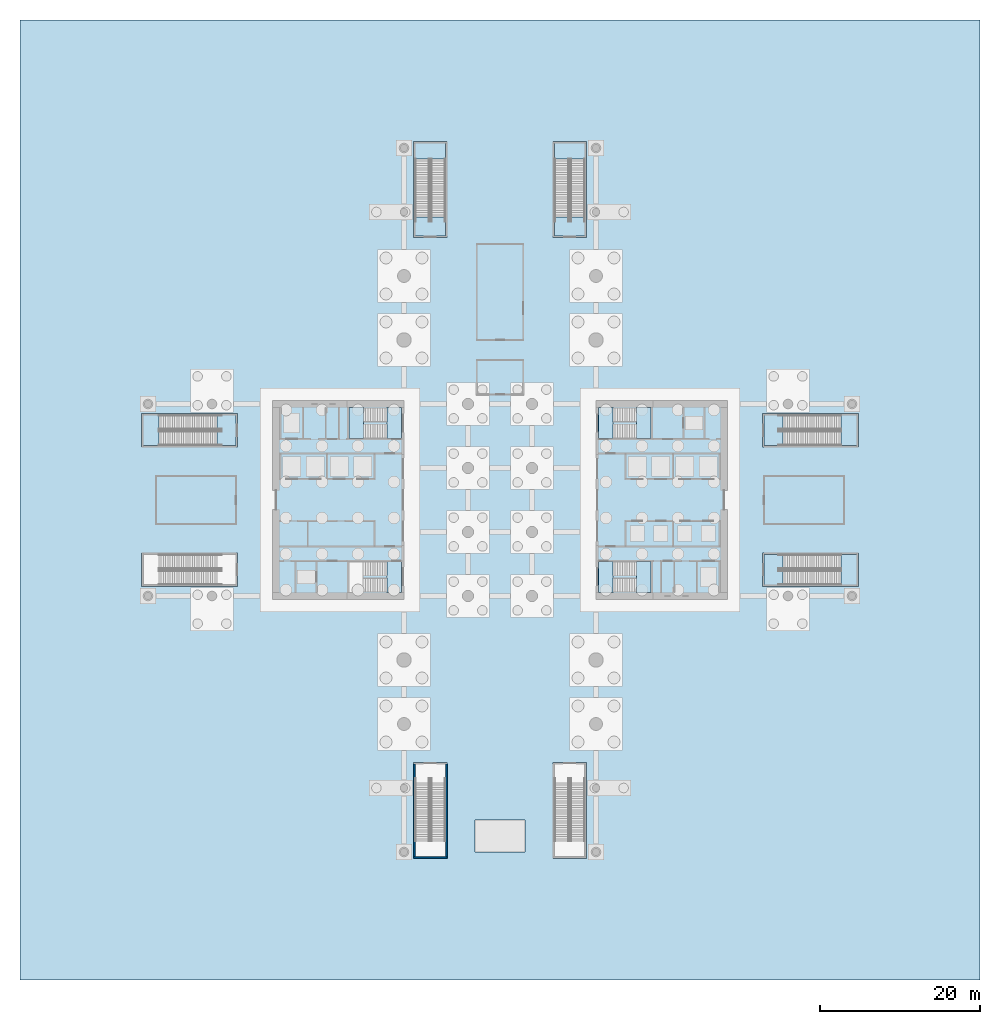
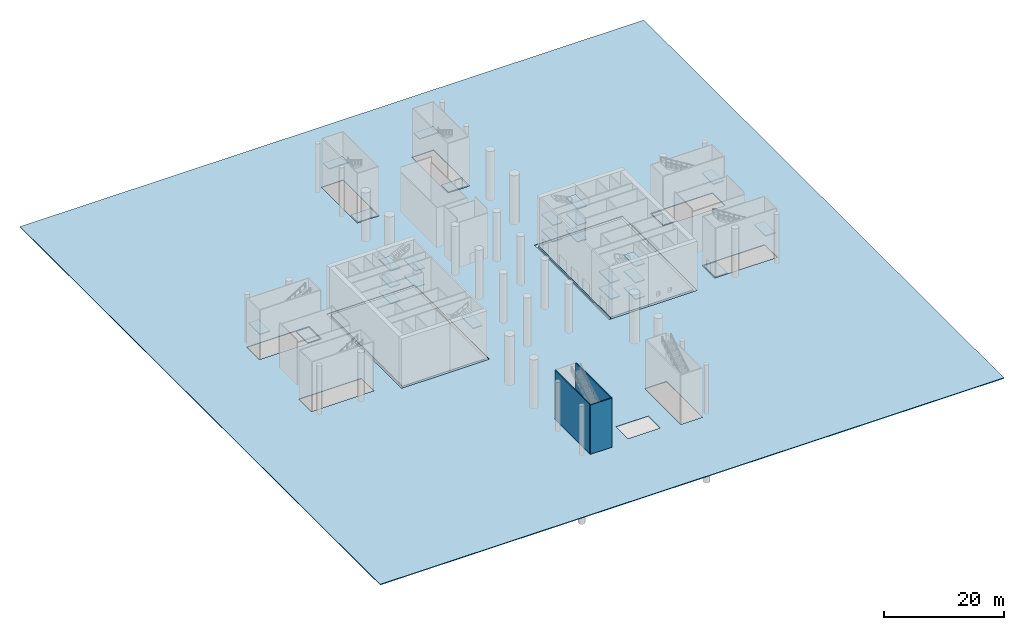
# One storey, part 3 of 14: 29 slabs, 3 walls, 9 elements without a shape of their own.
"""IFC4 building model written with IfcOpenShell, lengths in metres."""

from ifc_helpers import new_model, si_unit, direction, frame, frame_2d, origin, place, context, subcontext, project, spatial, polyline, rectangle, outline, extrude, material, layer, layer_set, type_object, element, aggregate, save


model = new_model("IFC4")

# Units and contexts
model_context = context("Model", 3, precision=1e-05, world=origin(), true_north=direction((0.0, 1.0)))
body_context = subcontext(model_context, "Body", "Model", "MODEL_VIEW")
ifc_project = project(units=[si_unit("LENGTHUNIT", "METRE"), si_unit("AREAUNIT", "SQUARE_METRE"), si_unit("VOLUMEUNIT", "CUBIC_METRE"), si_unit("PLANEANGLEUNIT", "RADIAN"), si_unit("MASSUNIT", "GRAM", prefix="KILO")], contexts=[model_context])

# Site, building, storey
site_placement = place(None, origin())
site = spatial("IfcSite", under=ifc_project, at=site_placement, CompositionType="ELEMENT")
building_placement = place(site_placement, origin())
building = spatial("IfcBuilding", under=site, at=building_placement, Name="Crosswind Convention Tower", CompositionType="ELEMENT")
storey_placement = place(building_placement, origin())
storey = spatial("IfcBuildingStorey", under=building, at=storey_placement, Name="L00", CompositionType="ELEMENT", Elevation=0.0)

# Slabs
ifc_material_1 = material(Name="Concrete C40/50", Category="concrete")
ifc_layer_1 = layer(ifc_material_1, 0.39990234375)
ifc_layer_set_1 = layer_set([ifc_layer_1], Name="Concrete C40/50")
slab_type_1 = type_object("IfcSlabType", Name="Concrete ground slab 400", PredefinedType="BASESLAB", material=ifc_layer_set_1)
slab_1_placement = place(storey_placement, frame((0.0, 0.0, -0.39990234375)))
element("IfcSlab", 1, at=slab_1_placement, inside=storey, type_object=slab_type_1, Name="Core floor slab E L00", PredefinedType="BASESLAB", context=body_context, shape_type="SweptSolid", body=[
    extrude(outline(polyline([(137.0, 88.0), (153.0, 88.0), (153.0, 112.0), (137.0, 112.0), (137.0, 88.0)])), origin(), (0.0, 0.0, 1.0), 0.39990234375),
])
slab_2_placement = place(storey_placement, frame((0.0, 0.0, -0.39990234375)))
element("IfcSlab", 2, at=slab_2_placement, inside=storey, type_object=slab_type_1, Name="Core floor slab W L00", PredefinedType="BASESLAB", context=body_context, shape_type="SweptSolid", body=[
    extrude(outline(polyline([(97.0, 88.0), (113.0, 88.0), (113.0, 112.0), (97.0, 112.0), (97.0, 88.0)])), origin(), (0.0, 0.0, 1.0), 0.39990234375),
])
ifc_material_2 = material(Name="Granite paving on bedding", Category="masonry")
ifc_layer_2 = layer(ifc_material_2, 0.14990234375)
ifc_layer_set_2 = layer_set([ifc_layer_2], Name="GROUND PAVING 150")
slab_type_2 = type_object("IfcSlabType", Name="GROUND PAVING 150", PredefinedType="USERDEFINED", material=ifc_layer_set_2)
slab_3_placement = place(storey_placement, frame((0.0, 0.0, -0.14990234375)))
element("IfcSlab", 3, at=slab_3_placement, inside=storey, type_object=slab_type_2, Name="Plaza paving 1", ObjectType="PAVING", PredefinedType="USERDEFINED", context=body_context, shape_type="SweptSolid", body=[
    extrude(outline(polyline([(65.0, 40.0), (65.0, 160.0), (185.0, 160.0), (185.0, 40.0), (65.0, 40.0)]), holes=[polyline([(128.10009765625, 60.0), (121.89990234375, 60.0), (121.89990234375, 56.0), (128.10009765625, 56.0), (128.10009765625, 60.0)]), polyline([(118.39990234375, 67.199951171875), (114.199951171875, 67.199951171875), (114.199951171875, 55.199951171875), (118.39990234375, 55.199951171875), (118.39990234375, 67.199951171875)]), polyline([(92.199951171875, 89.199951171875), (92.199951171875, 93.39990234375), (80.199951171875, 93.39990234375), (80.199951171875, 89.199951171875), (92.199951171875, 89.199951171875)]), polyline([(113.449951171875, 112.449951171875), (96.550048828125, 112.449951171875), (96.550048828125, 87.550048828125), (113.449951171875, 87.550048828125), (113.449951171875, 112.449951171875)]), polyline([(92.199951171875, 106.60009765625), (92.199951171875, 110.800048828125), (80.199951171875, 110.800048828125), (80.199951171875, 106.60009765625), (92.199951171875, 106.60009765625)]), polyline([(114.199951171875, 132.800048828125), (118.39990234375, 132.800048828125), (118.39990234375, 144.800048828125), (114.199951171875, 144.800048828125), (114.199951171875, 132.800048828125)]), polyline([(135.800048828125, 67.199951171875), (131.60009765625, 67.199951171875), (131.60009765625, 55.199951171875), (135.800048828125, 55.199951171875), (135.800048828125, 67.199951171875)]), polyline([(169.800048828125, 93.39990234375), (157.800048828125, 93.39990234375), (157.800048828125, 89.199951171875), (169.800048828125, 89.199951171875), (169.800048828125, 93.39990234375)]), polyline([(153.449951171875, 112.449951171875), (136.550048828125, 112.449951171875), (136.550048828125, 87.550048828125), (153.449951171875, 87.550048828125), (153.449951171875, 112.449951171875)]), polyline([(169.800048828125, 110.800048828125), (157.800048828125, 110.800048828125), (157.800048828125, 106.60009765625), (169.800048828125, 106.60009765625), (169.800048828125, 110.800048828125)]), polyline([(135.800048828125, 144.800048828125), (131.60009765625, 144.800048828125), (131.60009765625, 132.800048828125), (135.800048828125, 132.800048828125), (135.800048828125, 144.800048828125)])]), origin(), (0.0, 0.0, 1.0), 0.14990234375),
])

# Stair, slabs
stair_type_1 = type_object("IfcStairType", Name="PODIUM EXIT STAIR 10000 RISE", PredefinedType="HALF_TURN_STAIR", material=ifc_material_1)
stair_1_placement = place(storey_placement, origin())
stair_1 = element("IfcStair", 4, at=stair_1_placement, inside=storey, type_object=stair_type_1, Name="Exit stair E1 L00", ObjectType="ST10", PredefinedType="HALF_TURN_STAIR")
ifc_layer_3 = layer(ifc_material_1, 0.199951171875)
ifc_layer_set_3 = layer_set([ifc_layer_3], Name="Concrete C40/50")
slab_type_3 = type_object("IfcSlabType", Name="PODIUM STAIR LANDING 200 FOR 29 RISERS", PredefinedType="LANDING", material=ifc_layer_set_3)
slab_4_placement = place(storey_placement, frame((0.0, 0.0, 4.800048828125)))
slab_4 = element("IfcSlab", 5, at=slab_4_placement, type_object=slab_type_3, Name="ST10 landing 1", PredefinedType="LANDING", context=body_context, shape_type="SweptSolid", body=[
    extrude(outline(polyline([(167.639892578125, 89.39990234375), (169.60009765625, 89.39990234375), (169.60009765625, 93.199951171875), (167.639892578125, 93.199951171875), (167.639892578125, 89.39990234375)])), origin(), (0.0, 0.0, 1.0), 0.199951171875),
])
slab_5_placement = place(storey_placement, frame((0.0, 0.0, -0.199951171875)))
slab_5 = element("IfcSlab", 6, at=slab_5_placement, type_object=slab_type_3, Name="ST10 landing 2", PredefinedType="LANDING", context=body_context, shape_type="SweptSolid", body=[
    extrude(outline(polyline([(158.0, 89.39990234375), (160.39990234375, 89.39990234375), (160.39990234375, 93.199951171875), (158.0, 93.199951171875), (158.0, 89.39990234375)])), origin(), (0.0, 0.0, 1.0), 0.199951171875),
])
aggregate(stair_1, [slab_4, slab_5])

stair_2_placement = place(storey_placement, origin())
stair_2 = element("IfcStair", 7, at=stair_2_placement, inside=storey, type_object=stair_type_1, Name="Exit stair E2 L00", ObjectType="ST10", PredefinedType="HALF_TURN_STAIR")
slab_6_placement = place(storey_placement, frame((0.0, 0.0, 4.800048828125)))
slab_6 = element("IfcSlab", 8, at=slab_6_placement, type_object=slab_type_3, Name="ST10 landing 1", PredefinedType="LANDING", context=body_context, shape_type="SweptSolid", body=[
    extrude(outline(polyline([(167.639892578125, 106.800048828125), (169.60009765625, 106.800048828125), (169.60009765625, 110.60009765625), (167.639892578125, 110.60009765625), (167.639892578125, 106.800048828125)])), origin(), (0.0, 0.0, 1.0), 0.199951171875),
])
slab_7_placement = place(storey_placement, frame((0.0, 0.0, -0.199951171875)))
slab_7 = element("IfcSlab", 9, at=slab_7_placement, type_object=slab_type_3, Name="ST10 landing 2", PredefinedType="LANDING", context=body_context, shape_type="SweptSolid", body=[
    extrude(outline(polyline([(158.0, 106.800048828125), (160.39990234375, 106.800048828125), (160.39990234375, 110.60009765625), (158.0, 110.60009765625), (158.0, 106.800048828125)])), origin(), (0.0, 0.0, 1.0), 0.199951171875),
])
aggregate(stair_2, [slab_6, slab_7])

stair_3_placement = place(storey_placement, origin())
stair_3 = element("IfcStair", 10, at=stair_3_placement, inside=storey, type_object=stair_type_1, Name="Exit stair N1 L00", ObjectType="ST10", PredefinedType="HALF_TURN_STAIR")
slab_8_placement = place(storey_placement, frame((0.0, 0.0, 4.800048828125)))
slab_8 = element("IfcSlab", 11, at=slab_8_placement, type_object=slab_type_3, Name="ST10 landing 1", PredefinedType="LANDING", context=body_context, shape_type="SweptSolid", body=[
    extrude(outline(polyline([(118.199951171875, 142.639892578125), (118.199951171875, 144.60009765625), (114.39990234375, 144.60009765625), (114.39990234375, 142.639892578125), (118.199951171875, 142.639892578125)])), origin(), (0.0, 0.0, 1.0), 0.199951171875),
])
slab_9_placement = place(storey_placement, frame((0.0, 0.0, -0.199951171875)))
slab_9 = element("IfcSlab", 12, at=slab_9_placement, type_object=slab_type_3, Name="ST10 landing 2", PredefinedType="LANDING", context=body_context, shape_type="SweptSolid", body=[
    extrude(outline(polyline([(118.199951171875, 133.0), (118.199951171875, 135.39990234375), (114.39990234375, 135.39990234375), (114.39990234375, 133.0), (118.199951171875, 133.0)])), origin(), (0.0, 0.0, 1.0), 0.199951171875),
])
aggregate(stair_3, [slab_8, slab_9])

stair_4_placement = place(storey_placement, origin())
stair_4 = element("IfcStair", 13, at=stair_4_placement, inside=storey, type_object=stair_type_1, Name="Exit stair N2 L00", ObjectType="ST10", PredefinedType="HALF_TURN_STAIR")
slab_10_placement = place(storey_placement, frame((0.0, 0.0, 4.800048828125)))
slab_10 = element("IfcSlab", 14, at=slab_10_placement, type_object=slab_type_3, Name="ST10 landing 1", PredefinedType="LANDING", context=body_context, shape_type="SweptSolid", body=[
    extrude(outline(polyline([(135.60009765625, 142.639892578125), (135.60009765625, 144.60009765625), (131.800048828125, 144.60009765625), (131.800048828125, 142.639892578125), (135.60009765625, 142.639892578125)])), origin(), (0.0, 0.0, 1.0), 0.199951171875),
])
slab_11_placement = place(storey_placement, frame((0.0, 0.0, -0.199951171875)))
slab_11 = element("IfcSlab", 15, at=slab_11_placement, type_object=slab_type_3, Name="ST10 landing 2", PredefinedType="LANDING", context=body_context, shape_type="SweptSolid", body=[
    extrude(outline(polyline([(135.60009765625, 133.0), (135.60009765625, 135.39990234375), (131.800048828125, 135.39990234375), (131.800048828125, 133.0), (135.60009765625, 133.0)])), origin(), (0.0, 0.0, 1.0), 0.199951171875),
])
aggregate(stair_4, [slab_10, slab_11])

stair_5_placement = place(storey_placement, origin())
stair_5 = element("IfcStair", 16, at=stair_5_placement, inside=storey, type_object=stair_type_1, Name="Exit stair W2 L00", ObjectType="ST10", PredefinedType="HALF_TURN_STAIR")
slab_12_placement = place(storey_placement, frame((0.0, 0.0, 4.800048828125)))
slab_12 = element("IfcSlab", 17, at=slab_12_placement, type_object=slab_type_3, Name="ST10 landing 1", PredefinedType="LANDING", context=body_context, shape_type="SweptSolid", body=[
    extrude(outline(polyline([(82.360107421875, 110.60009765625), (80.39990234375, 110.60009765625), (80.39990234375, 106.800048828125), (82.360107421875, 106.800048828125), (82.360107421875, 110.60009765625)])), origin(), (0.0, 0.0, 1.0), 0.199951171875),
])
slab_13_placement = place(storey_placement, frame((0.0, 0.0, -0.199951171875)))
slab_13 = element("IfcSlab", 18, at=slab_13_placement, type_object=slab_type_3, Name="ST10 landing 2", PredefinedType="LANDING", context=body_context, shape_type="SweptSolid", body=[
    extrude(outline(polyline([(92.0, 110.60009765625), (89.60009765625, 110.60009765625), (89.60009765625, 106.800048828125), (92.0, 106.800048828125), (92.0, 110.60009765625)])), origin(), (0.0, 0.0, 1.0), 0.199951171875),
])
aggregate(stair_5, [slab_12, slab_13])

stair_type_2 = type_object("IfcStairType", Name="Exit stair 1800 wide, 6 flights of 11 risers", PredefinedType="HALF_TURN_STAIR", material=ifc_material_1)
stair_6_placement = place(storey_placement, origin())
stair_6 = element("IfcStair", 19, at=stair_6_placement, inside=storey, type_object=stair_type_2, Name="Exit stair ST1 L00", ObjectType="ST7", PredefinedType="HALF_TURN_STAIR")
ifc_layer_4 = layer(ifc_material_1, 0.199951171875)
ifc_layer_set_4 = layer_set([ifc_layer_4], Name="Concrete C40/50")
slab_type_4 = type_object("IfcSlabType", Name="Stair landing 200", PredefinedType="LANDING", material=ifc_layer_set_4)
slab_14_placement = place(storey_placement, frame((0.0, 0.0, 1.466552734375)))
slab_14 = element("IfcSlab", 20, at=slab_14_placement, type_object=slab_type_4, Name="ST1 landing 1", PredefinedType="LANDING", context=body_context, shape_type="SweptSolid", body=[
    extrude(outline(polyline([(143.89990234375, 107.699951171875), (143.89990234375, 111.550048828125), (142.050048828125, 111.550048828125), (142.050048828125, 107.699951171875), (143.89990234375, 107.699951171875)])), origin(), (0.0, 0.0, 1.0), 0.2001953125),
])
slab_15_placement = place(storey_placement, frame((0.0, 0.0, 3.13330078125)))
slab_15 = element("IfcSlab", 21, at=slab_15_placement, type_object=slab_type_4, Name="ST1 landing 2", PredefinedType="LANDING", context=body_context, shape_type="SweptSolid", body=[
    extrude(outline(polyline([(139.14990234375, 107.699951171875), (139.14990234375, 111.550048828125), (137.300048828125, 111.550048828125), (137.300048828125, 107.699951171875), (139.14990234375, 107.699951171875)])), origin(), (0.0, 0.0, 1.0), 0.199951171875),
])
slab_16_placement = place(storey_placement, frame((0.0, 0.0, 4.800048828125)))
slab_16 = element("IfcSlab", 22, at=slab_16_placement, type_object=slab_type_4, Name="ST1 landing 3", PredefinedType="LANDING", context=body_context, shape_type="SweptSolid", body=[
    extrude(outline(polyline([(143.89990234375, 107.699951171875), (143.89990234375, 111.550048828125), (142.050048828125, 111.550048828125), (142.050048828125, 107.699951171875), (143.89990234375, 107.699951171875)])), origin(), (0.0, 0.0, 1.0), 0.199951171875),
])
slab_17_placement = place(storey_placement, frame((0.0, 0.0, 6.466552734375)))
slab_17 = element("IfcSlab", 23, at=slab_17_placement, type_object=slab_type_4, Name="ST1 landing 4", PredefinedType="LANDING", context=body_context, shape_type="SweptSolid", body=[
    extrude(outline(polyline([(139.14990234375, 107.699951171875), (139.14990234375, 111.550048828125), (137.300048828125, 111.550048828125), (137.300048828125, 107.699951171875), (139.14990234375, 107.699951171875)])), origin(), (0.0, 0.0, 1.0), 0.2001953125),
])
slab_18_placement = place(storey_placement, frame((0.0, 0.0, 8.13330078125)))
slab_18 = element("IfcSlab", 24, at=slab_18_placement, type_object=slab_type_4, Name="ST1 landing 5", PredefinedType="LANDING", context=body_context, shape_type="SweptSolid", body=[
    extrude(outline(polyline([(143.89990234375, 107.699951171875), (143.89990234375, 111.550048828125), (142.050048828125, 111.550048828125), (142.050048828125, 107.699951171875), (143.89990234375, 107.699951171875)])), origin(), (0.0, 0.0, 1.0), 0.199951171875),
])
aggregate(stair_6, [slab_14, slab_15, slab_16, slab_17, slab_18])

stair_7_placement = place(storey_placement, origin())
stair_7 = element("IfcStair", 25, at=stair_7_placement, inside=storey, type_object=stair_type_2, Name="Exit stair ST2 L00", ObjectType="ST7", PredefinedType="HALF_TURN_STAIR")
slab_19_placement = place(storey_placement, frame((0.0, 0.0, 1.466552734375)))
slab_19 = element("IfcSlab", 26, at=slab_19_placement, type_object=slab_type_4, Name="ST2 landing 1", PredefinedType="LANDING", context=body_context, shape_type="SweptSolid", body=[
    extrude(outline(polyline([(143.89990234375, 88.449951171875), (143.89990234375, 92.300048828125), (142.050048828125, 92.300048828125), (142.050048828125, 88.449951171875), (143.89990234375, 88.449951171875)])), origin(), (0.0, 0.0, 1.0), 0.2001953125),
])
slab_20_placement = place(storey_placement, frame((0.0, 0.0, 3.13330078125)))
slab_20 = element("IfcSlab", 27, at=slab_20_placement, type_object=slab_type_4, Name="ST2 landing 2", PredefinedType="LANDING", context=body_context, shape_type="SweptSolid", body=[
    extrude(outline(polyline([(139.14990234375, 88.449951171875), (139.14990234375, 92.300048828125), (137.300048828125, 92.300048828125), (137.300048828125, 88.449951171875), (139.14990234375, 88.449951171875)])), origin(), (0.0, 0.0, 1.0), 0.199951171875),
])
slab_21_placement = place(storey_placement, frame((0.0, 0.0, 4.800048828125)))
slab_21 = element("IfcSlab", 28, at=slab_21_placement, type_object=slab_type_4, Name="ST2 landing 3", PredefinedType="LANDING", context=body_context, shape_type="SweptSolid", body=[
    extrude(outline(polyline([(143.89990234375, 88.449951171875), (143.89990234375, 92.300048828125), (142.050048828125, 92.300048828125), (142.050048828125, 88.449951171875), (143.89990234375, 88.449951171875)])), origin(), (0.0, 0.0, 1.0), 0.199951171875),
])
slab_22_placement = place(storey_placement, frame((0.0, 0.0, 6.466552734375)))
slab_22 = element("IfcSlab", 29, at=slab_22_placement, type_object=slab_type_4, Name="ST2 landing 4", PredefinedType="LANDING", context=body_context, shape_type="SweptSolid", body=[
    extrude(outline(polyline([(139.14990234375, 88.449951171875), (139.14990234375, 92.300048828125), (137.300048828125, 92.300048828125), (137.300048828125, 88.449951171875), (139.14990234375, 88.449951171875)])), origin(), (0.0, 0.0, 1.0), 0.2001953125),
])
slab_23_placement = place(storey_placement, frame((0.0, 0.0, 8.13330078125)))
slab_23 = element("IfcSlab", 30, at=slab_23_placement, type_object=slab_type_4, Name="ST2 landing 5", PredefinedType="LANDING", context=body_context, shape_type="SweptSolid", body=[
    extrude(outline(polyline([(143.89990234375, 88.449951171875), (143.89990234375, 92.300048828125), (142.050048828125, 92.300048828125), (142.050048828125, 88.449951171875), (143.89990234375, 88.449951171875)])), origin(), (0.0, 0.0, 1.0), 0.199951171875),
])
aggregate(stair_7, [slab_19, slab_20, slab_21, slab_22, slab_23])

# Stair, slab
stair_8_placement = place(storey_placement, origin())
stair_8 = element("IfcStair", 31, at=stair_8_placement, inside=storey, type_object=stair_type_2, Name="Exit stair ST3 L00", ObjectType="ST7", PredefinedType="HALF_TURN_STAIR")
slab_24_placement = place(storey_placement, frame((0.0, 0.0, 6.466552734375)))
slab_24 = element("IfcSlab", 32, at=slab_24_placement, type_object=slab_type_4, Name="ST3 landing 4", PredefinedType="LANDING", context=body_context, shape_type="SweptSolid", body=[
    extrude(outline(polyline([(112.699951171875, 88.449951171875), (112.699951171875, 92.300048828125), (110.85009765625, 92.300048828125), (110.85009765625, 88.449951171875), (112.699951171875, 88.449951171875)])), origin(), (0.0, 0.0, 1.0), 0.2001953125),
])
aggregate(stair_8, [slab_24])

# Stair, slabs
stair_9_placement = place(storey_placement, origin())
stair_9 = element("IfcStair", 33, at=stair_9_placement, inside=storey, type_object=stair_type_2, Name="Exit stair ST4 L00", ObjectType="ST7", PredefinedType="HALF_TURN_STAIR")
slab_25_placement = place(storey_placement, frame((0.0, 0.0, 1.466552734375)))
slab_25 = element("IfcSlab", 34, at=slab_25_placement, type_object=slab_type_4, Name="ST4 landing 1", PredefinedType="LANDING", context=body_context, shape_type="SweptSolid", body=[
    extrude(outline(polyline([(107.949951171875, 107.699951171875), (107.949951171875, 111.550048828125), (106.10009765625, 111.550048828125), (106.10009765625, 107.699951171875), (107.949951171875, 107.699951171875)])), origin(), (0.0, 0.0, 1.0), 0.2001953125),
])
slab_26_placement = place(storey_placement, frame((0.0, 0.0, 3.13330078125)))
slab_26 = element("IfcSlab", 35, at=slab_26_placement, type_object=slab_type_4, Name="ST4 landing 2", PredefinedType="LANDING", context=body_context, shape_type="SweptSolid", body=[
    extrude(outline(polyline([(112.699951171875, 107.699951171875), (112.699951171875, 111.550048828125), (110.85009765625, 111.550048828125), (110.85009765625, 107.699951171875), (112.699951171875, 107.699951171875)])), origin(), (0.0, 0.0, 1.0), 0.199951171875),
])
slab_27_placement = place(storey_placement, frame((0.0, 0.0, 4.800048828125)))
slab_27 = element("IfcSlab", 36, at=slab_27_placement, type_object=slab_type_4, Name="ST4 landing 3", PredefinedType="LANDING", context=body_context, shape_type="SweptSolid", body=[
    extrude(outline(polyline([(107.949951171875, 107.699951171875), (107.949951171875, 111.550048828125), (106.10009765625, 111.550048828125), (106.10009765625, 107.699951171875), (107.949951171875, 107.699951171875)])), origin(), (0.0, 0.0, 1.0), 0.199951171875),
])
slab_28_placement = place(storey_placement, frame((0.0, 0.0, 6.466552734375)))
slab_28 = element("IfcSlab", 37, at=slab_28_placement, type_object=slab_type_4, Name="ST4 landing 4", PredefinedType="LANDING", context=body_context, shape_type="SweptSolid", body=[
    extrude(outline(polyline([(112.699951171875, 107.699951171875), (112.699951171875, 111.550048828125), (110.85009765625, 111.550048828125), (110.85009765625, 107.699951171875), (112.699951171875, 107.699951171875)])), origin(), (0.0, 0.0, 1.0), 0.2001953125),
])
slab_29_placement = place(storey_placement, frame((0.0, 0.0, 8.13330078125)))
slab_29 = element("IfcSlab", 38, at=slab_29_placement, type_object=slab_type_4, Name="ST4 landing 5", PredefinedType="LANDING", context=body_context, shape_type="SweptSolid", body=[
    extrude(outline(polyline([(107.949951171875, 107.699951171875), (107.949951171875, 111.550048828125), (106.10009765625, 111.550048828125), (106.10009765625, 107.699951171875), (107.949951171875, 107.699951171875)])), origin(), (0.0, 0.0, 1.0), 0.199951171875),
])
aggregate(stair_9, [slab_25, slab_26, slab_27, slab_28, slab_29])

# Walls
ifc_layer_5 = layer(ifc_material_1, 0.199951171875)
ifc_layer_set_5 = layer_set([ifc_layer_5], Name="Concrete C40/50")
wall_type = type_object("IfcWallType", Name="STAIR ENCLOSURE WALL 200", PredefinedType="SOLIDWALL", material=ifc_layer_set_5)
wall_placement = place(storey_placement, frame((114.199951171875, 55.300048828125, 0.0), z_axis=(0.0, 0.0, 1.0), x_axis=(1.0, 0.0, 0.0)))
element("IfcWall", 39, at=wall_placement, inside=storey, type_object=wall_type, Name="Stair Enclosure Wall 1", PredefinedType="SOLIDWALL", context=body_context, shape_type="SweptSolid", body=[
    extrude(rectangle(XDim=4.199951171875, YDim=0.199951171875, at=frame_2d((2.10009765625, 0.0))), origin(), (0.0, 0.0, 1.0), 10.0),
])
for number, where, z_axis, x_axis, name in (
    (40, (114.300048828125, 55.39990234375, 0.0), (0.0, 0.0, 1.0), (0.0, 1.0, 0.0), "Stair Enclosure Wall 31"),
    (41, (118.300048828125, 55.39990234375, 0.0), (0.0, 0.0, 1.0), (0.0, 1.0, 0.0), "Stair Enclosure Wall 33"),
):
    element("IfcWall", number, at=place(storey_placement, frame(where, z_axis=z_axis, x_axis=x_axis)), inside=storey, type_object=wall_type, Name=name, PredefinedType="SOLIDWALL", context=body_context, shape_type="SweptSolid", body=[
        extrude(rectangle(XDim=11.60009765625, YDim=0.199951171875, at=frame_2d((5.800048828125, 0.0))), origin(), (0.0, 0.0, 1.0), 10.0),
    ])

save(model, "model.ifc")
